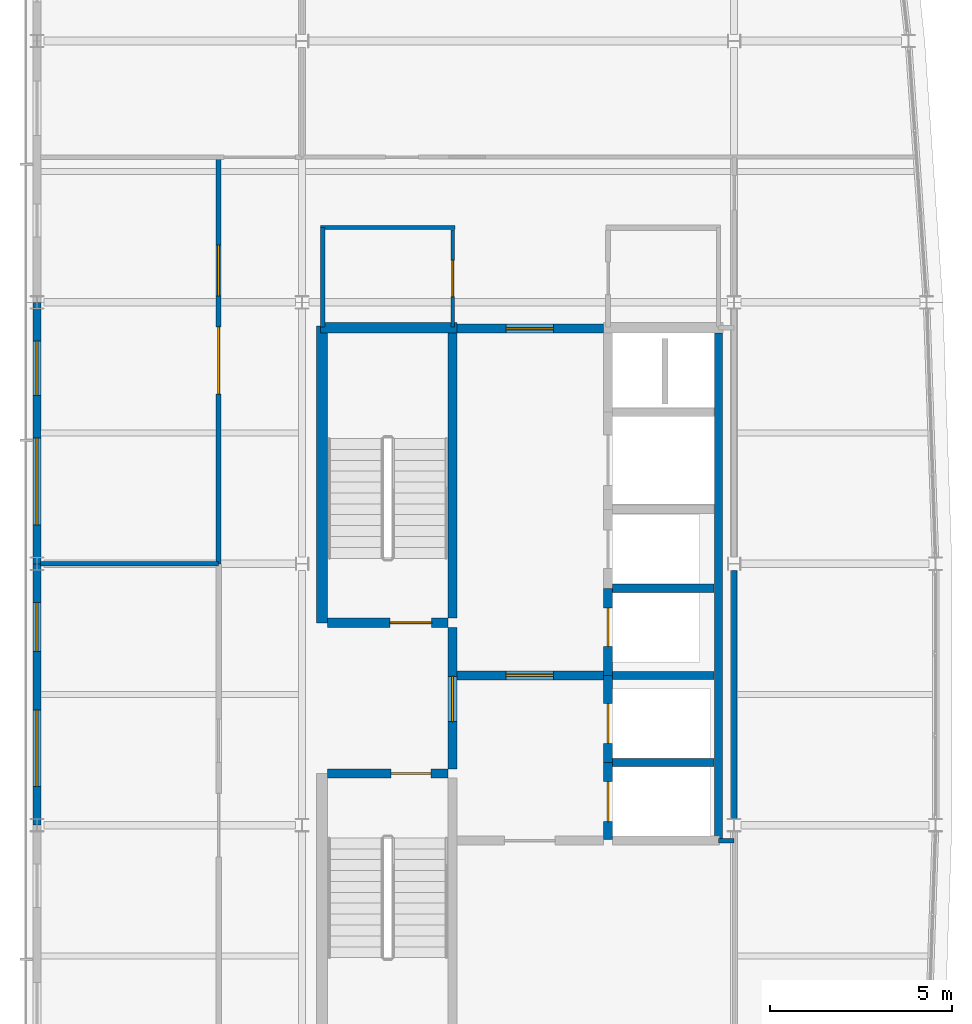
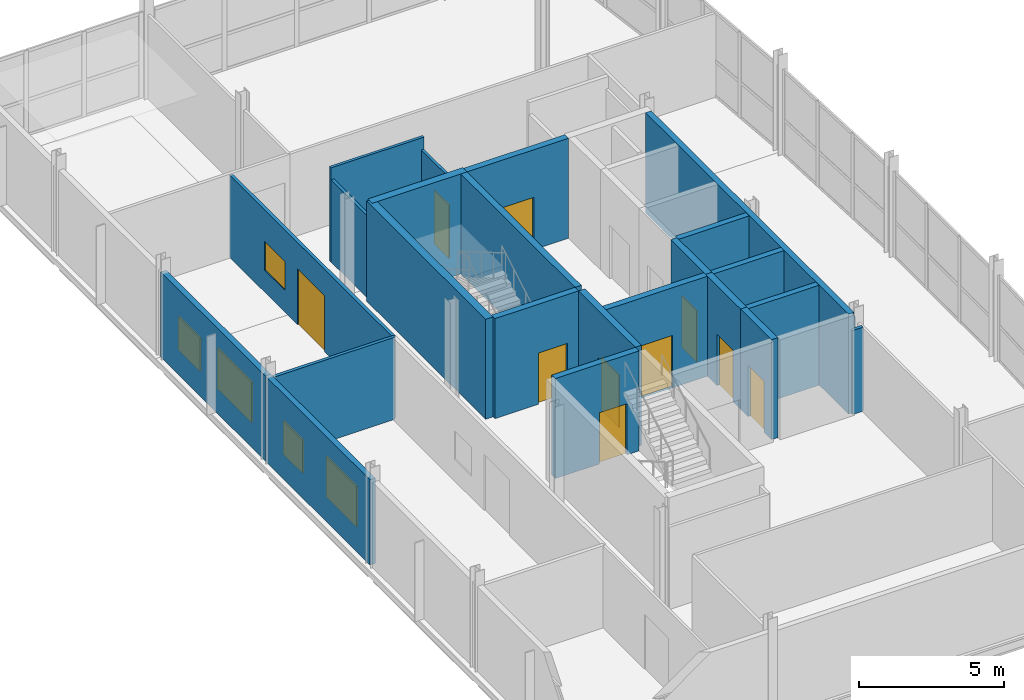
# One storey, part 12 of 17: 24 walls, 10 doors, 5 windows, 15 openings.
"""IFC4 building model written with IfcOpenShell, lengths in metres."""

from ifc_helpers import new_model, si_unit, direction, frame, frame_2d, origin, place, context, subcontext, project, spatial, rectangle, extrude, material, layer, layer_set, type_object, element, fill, save


model = new_model("IFC4")

# Units and contexts
model_context = context("Model", 3, precision=1e-05, world=origin(), true_north=direction((0.0, 1.0)))
body_context = subcontext(model_context, "Body", "Model", "MODEL_VIEW")
ifc_project = project(units=[si_unit("LENGTHUNIT", "METRE"), si_unit("AREAUNIT", "SQUARE_METRE"), si_unit("VOLUMEUNIT", "CUBIC_METRE"), si_unit("PLANEANGLEUNIT", "RADIAN"), si_unit("MASSUNIT", "GRAM", prefix="KILO")], contexts=[model_context])

# Site, building, storey
site_placement = place(None, origin())
site = spatial("IfcSite", under=ifc_project, at=site_placement, CompositionType="ELEMENT")
building_placement = place(site_placement, origin())
building = spatial("IfcBuilding", under=site, at=building_placement, Name="Quillay Park Conservatory", CompositionType="ELEMENT")
storey_placement = place(building_placement, frame((0.0, 0.0, 51.89990234375)))
storey = spatial("IfcBuildingStorey", under=building, at=storey_placement, Name="L12", CompositionType="ELEMENT", Elevation=51.89990234375)

# Wall, opening, door
ifc_material_1 = material(Name="Steel-Stud Acoustic Gypsum Board Partition", Category="steel")
ifc_layer_1 = layer(ifc_material_1, 0.10498046875)
ifc_layer_set_1 = layer_set([ifc_layer_1], Name="ACOUSTIC GYPSUM PARTITION 105 (Steel-Stud Acoustic Gypsum Board Partition)")
wall_type_1 = type_object("IfcWallType", Name="ACOUSTIC GYPSUM PARTITION 105", PredefinedType="PARTITIONING", material=ifc_layer_set_1)
wall_1_placement = place(storey_placement, frame((12.0, 101.60009765625, 0.0), z_axis=(0.0, 0.0, 1.0), x_axis=(0.0, -1.0, 0.0)))
wall_1 = element("IfcWall", 1, at=wall_1_placement, inside=storey, type_object=wall_type_1, Name="L12 Accessible WC Door Wall", PredefinedType="PARTITIONING", context=body_context, shape_type="SweptSolid", body=[
    extrude(rectangle(XDim=2.68017578125, YDim=0.10498046875, at=frame_2d((1.340087890625, 0.0))), origin(), (0.0, 0.0, 1.0), 3.451171875),
])
opening_1_placement = place(wall_1_placement, frame((0.840087890625, 0.0, 0.0)))
opening_1 = element("IfcOpeningElement", 2, at=opening_1_placement, cuts=wall_1, Name="Opening D-RM19", PredefinedType="OPENING", context=body_context, shape_type="SweptSolid", body=[
    extrude(rectangle(XDim=1.0, YDim=2.25, at=frame_2d((0.5, 1.125))), frame((0.0, 0.052490234375, 0.0), z_axis=(0.0, -1.0, 0.0), x_axis=(1.0, 0.0, 0.0)), (0.0, 0.0, 1.0), 0.10498046875),
])
ifc_material_2 = material(Name="Thermally Broken Anodised Aluminium 6063-T6", Category="aluminium")
door_type_1 = type_object("IfcDoorType", Name="SINGLE SWING DOOR 1000 X2250", OperationType="NOTDEFINED", PredefinedType="DOOR", material=ifc_material_2)
door_1_placement = place(opening_1_placement, origin())
door_1 = element("IfcDoor", 3, at=door_1_placement, inside=storey, type_object=door_type_1, Name="L12 Door to L12 Accessible WC", OperationType="SINGLE_SWING_LEFT", OverallHeight=2.25, OverallWidth=1.0, PredefinedType="DOOR", context=body_context, shape_type="SweptSolid", body=[
    extrude(rectangle(XDim=1.0, YDim=2.25, at=frame_2d((0.5, 1.125))), frame((0.0, 0.02490234375, 0.0), z_axis=(0.0, -1.0, 0.0), x_axis=(1.0, 0.0, 0.0)), (0.0, 0.0, 1.0), 0.050048828125),
])
fill(opening_1, door_1)

# Walls
ifc_material_3 = material(Name="Steel-Stud Acoustic Gypsum Board Partition", Category="steel")
ifc_layer_2 = layer(ifc_material_3, 0.110107421875)
ifc_layer_set_2 = layer_set([ifc_layer_2], Name="ACOUSTIC GYPSUM PARTITION 110 (Steel-Stud Acoustic Gypsum Board Partition)")
wall_type_2 = type_object("IfcWallType", Name="ACOUSTIC GYPSUM PARTITION 110", PredefinedType="PARTITIONING", material=ifc_layer_set_2)
wall_2_placement = place(storey_placement, frame((8.360107421875, 101.659912109375, 0.0), z_axis=(0.0, 0.0, 1.0), x_axis=(1.0, 0.0, 0.0)))
element("IfcWall", 4, at=wall_2_placement, inside=storey, type_object=wall_type_2, Name="L12 Accessible WC North Wall", PredefinedType="PARTITIONING", context=body_context, shape_type="SweptSolid", body=[
    extrude(rectangle(XDim=3.699951171875, YDim=0.110107421875, at=frame_2d((1.85009765625, 0.0))), origin(), (0.0, 0.0, 1.0), 3.9501953125),
])
ifc_material_4 = material(Name="Steel-Stud Acoustic Gypsum Board Partition", Category="steel")
ifc_layer_3 = layer(ifc_material_4, 0.114990234375)
ifc_layer_set_3 = layer_set([ifc_layer_3], Name="ACOUSTIC GYPSUM PARTITION 115 (Steel-Stud Acoustic Gypsum Board Partition)")
wall_type_3 = type_object("IfcWallType", Name="ACOUSTIC GYPSUM PARTITION 115", PredefinedType="PARTITIONING", material=ifc_layer_set_3)
wall_3_placement = place(storey_placement, frame((8.419921875, 98.919921875, 0.0), z_axis=(0.0, 0.0, 1.0), x_axis=(0.0, 1.0, 0.0)))
element("IfcWall", 5, at=wall_3_placement, inside=storey, type_object=wall_type_3, Name="L12 Accessible WC West Wall", PredefinedType="PARTITIONING", context=body_context, shape_type="SweptSolid", body=[
    extrude(rectangle(XDim=2.739990234375, YDim=0.114990234375, at=frame_2d((1.3701171875, 0.0))), origin(), (0.0, 0.0, 1.0), 3.451171875),
])
ifc_material_5 = material(Name="Steel-Stud Acoustic Gypsum Board Partition", Category="steel")
ifc_layer_4 = layer(ifc_material_5, 0.125)
ifc_layer_set_4 = layer_set([ifc_layer_4], Name="ACOUSTIC GYPSUM PARTITION 125 (Steel-Stud Acoustic Gypsum Board Partition)")
wall_type_4 = type_object("IfcWallType", Name="ACOUSTIC GYPSUM PARTITION 125", PredefinedType="PARTITIONING", material=ifc_layer_set_4)
wall_4_placement = place(storey_placement, frame((19.320068359375, 84.77490234375, 0.0), z_axis=(0.0, 0.0, 1.0), x_axis=(1.0, 0.0, 0.0)))
element("IfcWall", 6, at=wall_4_placement, inside=storey, type_object=wall_type_4, Name="L12 Core South-East Closure", PredefinedType="PARTITIONING", context=body_context, shape_type="SweptSolid", body=[
    extrude(rectangle(XDim=0.429931640625, YDim=0.125, at=frame_2d((0.21484375, 0.0))), origin(), (0.0, 0.0, 1.0), 3.527099609375),
])
wall_5_placement = place(storey_placement, frame((0.64990234375, 92.39990234375, 0.0), z_axis=(0.0, 0.0, 1.0), x_axis=(1.0, 0.0, 0.0)))
element("IfcWall", 7, at=wall_5_placement, inside=storey, type_object=wall_type_4, Name="L12 West Divider 92", PredefinedType="PARTITIONING", context=body_context, shape_type="SweptSolid", body=[
    extrude(rectangle(XDim=4.900146484375, YDim=0.125, at=frame_2d((2.4501953125, 0.0))), origin(), (0.0, 0.0, 1.0), 3.451171875),
])

# Wall, openings, window, door
ifc_material_6 = material(Name="Steel-Stud Acoustic Gypsum Board Partition", Category="steel")
ifc_layer_5 = layer(ifc_material_6, 0.1298828125)
ifc_layer_set_5 = layer_set([ifc_layer_5], Name="ACOUSTIC GYPSUM PARTITION 130 (Steel-Stud Acoustic Gypsum Board Partition)")
wall_type_5 = type_object("IfcWallType", Name="ACOUSTIC GYPSUM PARTITION 130", PredefinedType="PARTITIONING", material=ifc_layer_set_5)
wall_6_placement = place(storey_placement, frame((5.550048828125, 92.39990234375, 0.0), z_axis=(0.0, 0.0, 1.0), x_axis=(0.0, 1.0, 0.0)))
wall_6 = element("IfcWall", 8, at=wall_6_placement, inside=storey, type_object=wall_type_5, Name="L12 L12 Endangered Flora Conservation Planning Lab Corridor Wall", PredefinedType="PARTITIONING", context=body_context, shape_type="SweptSolid", body=[
    extrude(rectangle(XDim=11.2001953125, YDim=0.1298828125, at=frame_2d((5.60009765625, 0.0))), origin(), (0.0, 0.0, 1.0), 3.451171875),
])
opening_2_placement = place(wall_6_placement, frame((4.675048828125, 0.0, 0.0)))
opening_2 = element("IfcOpeningElement", 9, at=opening_2_placement, cuts=wall_6, Name="Opening D-RM29", PredefinedType="OPENING", context=body_context, shape_type="SweptSolid", body=[
    extrude(rectangle(XDim=1.85009765625, YDim=2.35009765625, at=frame_2d((0.925048828125, 1.175048828125))), frame((0.0, 0.06494140625, 0.0), z_axis=(0.0, -1.0, 0.0), x_axis=(1.0, 0.0, 0.0)), (0.0, 0.0, 1.0), 0.1298828125),
])
opening_3_placement = place(wall_6_placement, frame((7.375, 0.0, 0.919921875)))
opening_3 = element("IfcOpeningElement", 10, at=opening_3_placement, cuts=wall_6, Name="Opening W-IN08", PredefinedType="OPENING", context=body_context, shape_type="SweptSolid", body=[
    extrude(rectangle(XDim=1.39990234375, YDim=1.199951171875, at=frame_2d((0.699951171875, 0.60009765625))), frame((0.0, 0.06494140625, 0.0), z_axis=(0.0, -1.0, 0.0), x_axis=(1.0, 0.0, 0.0)), (0.0, 0.0, 1.0), 0.1298828125),
])
ifc_material_7 = material(Name="Low-E Double Glazing (Laminated Tempered)", Category="glass")
window_type_1 = type_object("IfcWindowType", Name="OPERABLE VENT WINDOW 1400 X1200", PartitioningType="SINGLE_PANEL", PredefinedType="WINDOW", material=ifc_material_7)
window_1_placement = place(opening_3_placement, origin())
window_1 = element("IfcWindow", 11, at=window_1_placement, inside=storey, type_object=window_type_1, Name="L12 Laboratory Vision Panel 044", OverallHeight=1.199951171875, OverallWidth=1.39990234375, PartitioningType="SINGLE_PANEL", PredefinedType="WINDOW", context=body_context, shape_type="SweptSolid", body=[
    extrude(rectangle(XDim=1.39990234375, YDim=1.199951171875, at=frame_2d((0.699951171875, 0.60009765625))), frame((0.0, 0.030029296875, 0.0), z_axis=(0.0, -1.0, 0.0), x_axis=(1.0, 0.0, 0.0)), (0.0, 0.0, 1.0), 0.06005859375),
])
fill(opening_3, window_1)
ifc_material_8 = material(Name="Thermally Broken Anodised Aluminium 6063-T6", Category="aluminium")
door_type_2 = type_object("IfcDoorType", Name="SINGLE SWING DOOR 1850 X2350", OperationType="NOTDEFINED", PredefinedType="DOOR", material=ifc_material_8)
door_2_placement = place(opening_2_placement, origin())
door_2 = element("IfcDoor", 12, at=door_2_placement, inside=storey, type_object=door_type_2, Name="L12 Door to L12 Endangered Flora Conservation Planning Lab", OperationType="SINGLE_SWING_LEFT", OverallHeight=2.35009765625, OverallWidth=1.85009765625, PredefinedType="DOOR", context=body_context, shape_type="SweptSolid", body=[
    extrude(rectangle(XDim=1.85009765625, YDim=2.35009765625, at=frame_2d((0.925048828125, 1.175048828125))), frame((0.0, 0.02490234375, 0.0), z_axis=(0.0, -1.0, 0.0), x_axis=(1.0, 0.0, 0.0)), (0.0, 0.0, 1.0), 0.050048828125),
])
fill(opening_2, door_2)

# Walls
ifc_material_9 = material(Name="Steel-Stud Acoustic Gypsum Board Partition", Category="steel")
ifc_layer_6 = layer(ifc_material_9, 0.14990234375)
ifc_layer_set_6 = layer_set([ifc_layer_6], Name="ACOUSTIC GYPSUM PARTITION 150 (Steel-Stud Acoustic Gypsum Board Partition)")
wall_type_6 = type_object("IfcWallType", Name="ACOUSTIC GYPSUM PARTITION 150", PredefinedType="PARTITIONING", material=ifc_layer_set_6)
wall_7_placement = place(storey_placement, frame((19.75, 85.373046875, 0.0), z_axis=(0.0, 0.0, 1.0), x_axis=(0.0, 1.0, 0.0)))
element("IfcWall", 13, at=wall_7_placement, inside=storey, type_object=wall_type_6, Name="L12 L12 Remote Sensing Phenology Laboratory West Wall 2", PredefinedType="PARTITIONING", context=body_context, shape_type="SweptSolid", body=[
    extrude(rectangle(XDim=6.847412109375, YDim=0.14990234375, at=frame_2d((3.423828125, 0.0))), origin(), (0.0, 0.0, 1.0), 3.527099609375),
])
ifc_material_10 = material(Name="Concrete C35/45 (NCh170 Concrete C35/45)", Category="concrete")
ifc_layer_7 = layer(ifc_material_10, 0.22509765625)
ifc_layer_set_7 = layer_set([ifc_layer_7], Name="CORE SHEAR WALL 225 (Concrete C35/45 (NCh170 Concrete C35/45))")
wall_type_7 = type_object("IfcWallType", Name="CORE SHEAR WALL 225", PredefinedType="SHEAR", material=ifc_layer_set_7)
wall_8_placement = place(storey_placement, frame((19.320068359375, 84.800048828125, 0.0), z_axis=(0.0, 0.0, 1.0), x_axis=(0.0, 1.0, 0.0)))
element("IfcWall", 14, at=wall_8_placement, inside=storey, type_object=wall_type_7, Name="L12 Core Shear Wall WL-LFBACK-L12", PredefinedType="SHEAR", context=body_context, shape_type="SweptSolid", body=[
    extrude(rectangle(XDim=13.949951171875, YDim=0.22509765625, at=frame_2d((6.97509765625, 0.0))), origin(), (0.0, 0.0, 1.0), 4.2001953125),
])
for number, where, z_axis, x_axis, name in (
    (15, (16.39990234375, 86.925048828125, 0.0), (0.0, 0.0, 1.0), (1.0, 0.0, 0.0), "L12 Core Shear Wall WL-LFDIV-L12-869"),
    (16, (16.39990234375, 89.324951171875, 0.0), (0.0, 0.0, 1.0), (1.0, 0.0, 0.0), "L12 Core Shear Wall WL-LFDIV-L12-893"),
    (17, (16.39990234375, 91.72509765625, 0.0), (0.0, 0.0, 1.0), (1.0, 0.0, 0.0), "L12 Core Shear Wall WL-LFDIV-L12-917"),
):
    element("IfcWall", number, at=place(storey_placement, frame(where, z_axis=z_axis, x_axis=x_axis)), inside=storey, type_object=wall_type_7, Name=name, PredefinedType="SHEAR", context=body_context, shape_type="SweptSolid", body=[
        extrude(rectangle(XDim=2.800048828125, YDim=0.22509765625, at=frame_2d((1.39990234375, 0.0))), origin(), (0.0, 0.0, 1.0), 4.2001953125),
    ])
ifc_material_11 = material(Name="Concrete C40/50 (NCh170 Concrete C40/50)", Category="concrete")
ifc_layer_8 = layer(ifc_material_11, 0.25)
ifc_layer_set_8 = layer_set([ifc_layer_8], Name="CORE SHEAR WALL 250 (Concrete C40/50 (NCh170 Concrete C40/50))")
wall_type_8 = type_object("IfcWallType", Name="CORE SHEAR WALL 250", PredefinedType="SHEAR", material=ifc_layer_set_8)
wall_9_placement = place(storey_placement, frame((11.9951171875, 90.89990234375, 0.0), z_axis=(0.0, 0.0, 1.0), x_axis=(0.0, 1.0, 0.0)))
element("IfcWall", 18, at=wall_9_placement, inside=storey, type_object=wall_type_8, Name="L12 Core Shear Wall WL-T1E-L12", PredefinedType="SHEAR", context=body_context, shape_type="SweptSolid", body=[
    extrude(rectangle(XDim=7.85009765625, YDim=0.25, at=frame_2d((3.925048828125, 0.0))), origin(), (0.0, 0.0, 1.0), 4.2001953125),
])

# Wall, opening, door
wall_10_placement = place(storey_placement, frame((11.9951171875, 86.75, 0.0), z_axis=(0.0, 0.0, 1.0), x_axis=(0.0, 1.0, 0.0)))
wall_10 = element("IfcWall", 19, at=wall_10_placement, inside=storey, type_object=wall_type_8, Name="L12 Core Shear Wall WL-FFW-L12", PredefinedType="SHEAR", context=body_context, shape_type="SweptSolid", body=[
    extrude(rectangle(XDim=3.89990234375, YDim=0.25, at=frame_2d((1.949951171875, 0.0))), origin(), (0.0, 0.0, 1.0), 4.2001953125),
])
opening_4_placement = place(wall_10_placement, frame((1.300048828125, 0.0, 0.0)))
opening_4 = element("IfcOpeningElement", 20, at=opening_4_placement, cuts=wall_10, Name="Opening D-LB01", PredefinedType="OPENING", context=body_context, shape_type="SweptSolid", body=[
    extrude(rectangle(XDim=1.25, YDim=2.199951171875, at=frame_2d((0.625, 1.10009765625))), frame((0.0, 0.125, 0.0), z_axis=(0.0, -1.0, 0.0), x_axis=(1.0, 0.0, 0.0)), (0.0, 0.0, 1.0), 0.25),
])
ifc_material_12 = material(Name="Steel ASTM A572 Grade 50", Category="steel")
door_type_3 = type_object("IfcDoorType", Name="FIRE RATED LOBBY DOOR 1250 X2200", OperationType="NOTDEFINED", PredefinedType="DOOR", material=ifc_material_12)
door_3_placement = place(opening_4_placement, origin())
door_3 = element("IfcDoor", 21, at=door_3_placement, inside=storey, type_object=door_type_3, Name="L12 Firefighting Lobby Corridor Door", OperationType="SINGLE_SWING_LEFT", OverallHeight=2.199951171875, OverallWidth=1.25, PredefinedType="DOOR", context=body_context, shape_type="SweptSolid", body=[
    extrude(rectangle(XDim=1.25, YDim=2.199951171875, at=frame_2d((0.625, 1.10009765625))), frame((0.0, 0.02490234375, 0.0), z_axis=(0.0, -1.0, 0.0), x_axis=(1.0, 0.0, 0.0)), (0.0, 0.0, 1.0), 0.050048828125),
])
fill(opening_4, door_3)

wall_11_placement = place(storey_placement, frame((12.1201171875, 98.875, 0.0), z_axis=(0.0, 0.0, 1.0), x_axis=(1.0, 0.0, 0.0)))
wall_11 = element("IfcWall", 22, at=wall_11_placement, inside=storey, type_object=wall_type_8, Name="L12 Core Shear Wall WL-PAXN-L12", PredefinedType="SHEAR", context=body_context, shape_type="SweptSolid", body=[
    extrude(rectangle(XDim=4.02978515625, YDim=0.25, at=frame_2d((2.014892578125, 0.0))), origin(), (0.0, 0.0, 1.0), 4.2001953125),
])
opening_5_placement = place(wall_11_placement, frame((1.35009765625, 0.0, 0.0)))
opening_5 = element("IfcOpeningElement", 23, at=opening_5_placement, cuts=wall_11, Name="Opening D-LB02", PredefinedType="OPENING", context=body_context, shape_type="SweptSolid", body=[
    extrude(rectangle(XDim=1.300048828125, YDim=2.199951171875, at=frame_2d((0.64990234375, 1.10009765625))), frame((0.0, 0.125, 0.0), z_axis=(0.0, -1.0, 0.0), x_axis=(1.0, 0.0, 0.0)), (0.0, 0.0, 1.0), 0.25),
])
ifc_material_13 = material(Name="Steel ASTM A572 Grade 50", Category="steel")
door_type_4 = type_object("IfcDoorType", Name="FIRE RATED LOBBY DOOR 1300 X2200", OperationType="NOTDEFINED", PredefinedType="DOOR", material=ifc_material_13)
door_4_placement = place(opening_5_placement, origin())
door_4 = element("IfcDoor", 24, at=door_4_placement, inside=storey, type_object=door_type_4, Name="L12 North Lift Lobby Door", OperationType="SINGLE_SWING_RIGHT", OverallHeight=2.199951171875, OverallWidth=1.300048828125, PredefinedType="DOOR", context=body_context, shape_type="SweptSolid", body=[
    extrude(rectangle(XDim=1.300048828125, YDim=2.199951171875, at=frame_2d((0.64990234375, 1.10009765625))), frame((0.0, 0.02490234375, 0.0), z_axis=(0.0, -1.0, 0.0), x_axis=(1.0, 0.0, 0.0)), (0.0, 0.0, 1.0), 0.050048828125),
])
fill(opening_5, door_4)

wall_12_placement = place(storey_placement, frame((8.550048828125, 86.625, 0.0), z_axis=(0.0, 0.0, 1.0), x_axis=(1.0, 0.0, 0.0)))
wall_12 = element("IfcWall", 25, at=wall_12_placement, inside=storey, type_object=wall_type_8, Name="L12 Core Shear Wall WL-ST2D-L12", PredefinedType="SHEAR", context=body_context, shape_type="SweptSolid", body=[
    extrude(rectangle(XDim=3.320068359375, YDim=0.25, at=frame_2d((1.66015625, 0.0))), origin(), (0.0, 0.0, 1.0), 4.2001953125),
])
opening_6_placement = place(wall_12_placement, frame((1.75, 0.0, 0.0)))
opening_6 = element("IfcOpeningElement", 26, at=opening_6_placement, cuts=wall_12, Name="Opening D-ST01", PredefinedType="OPENING", context=body_context, shape_type="SweptSolid", body=[
    extrude(rectangle(XDim=1.10009765625, YDim=2.14990234375, at=frame_2d((0.550048828125, 1.074951171875))), frame((0.0, 0.125, 0.0), z_axis=(0.0, -1.0, 0.0), x_axis=(1.0, 0.0, 0.0)), (0.0, 0.0, 1.0), 0.25),
])
ifc_material_14 = material(Name="Steel ASTM A572 Grade 50", Category="steel")
door_type_5 = type_object("IfcDoorType", Name="FIRE RATED STAIR DOOR 1100 X2150", OperationType="NOTDEFINED", PredefinedType="DOOR", material=ifc_material_14)
door_5_placement = place(opening_6_placement, origin())
door_5 = element("IfcDoor", 27, at=door_5_placement, inside=storey, type_object=door_type_5, Name="L12 Protected Stair ST-T2 Door", OperationType="SINGLE_SWING_LEFT", OverallHeight=2.14990234375, OverallWidth=1.10009765625, PredefinedType="DOOR", context=body_context, shape_type="SweptSolid", body=[
    extrude(rectangle(XDim=1.10009765625, YDim=2.14990234375, at=frame_2d((0.550048828125, 1.074951171875))), frame((0.0, 0.02490234375, 0.0), z_axis=(0.0, -1.0, 0.0), x_axis=(1.0, 0.0, 0.0)), (0.0, 0.0, 1.0), 0.050048828125),
])
fill(opening_6, door_5)

wall_13_placement = place(storey_placement, frame((11.8701171875, 90.77490234375, 0.0), z_axis=(0.0, 0.0, 1.0), x_axis=(-1.0, 0.0, 0.0)))
wall_13 = element("IfcWall", 28, at=wall_13_placement, inside=storey, type_object=wall_type_8, Name="L12 Core Shear Wall WL-ST1D-L12", PredefinedType="SHEAR", context=body_context, shape_type="SweptSolid", body=[
    extrude(rectangle(XDim=3.320068359375, YDim=0.25, at=frame_2d((1.66015625, 0.0))), origin(), (0.0, 0.0, 1.0), 4.2001953125),
])
opening_7_placement = place(wall_13_placement, frame((0.449951171875, 0.0, 0.0)))
opening_7 = element("IfcOpeningElement", 29, at=opening_7_placement, cuts=wall_13, Name="Opening D-ST02", PredefinedType="OPENING", context=body_context, shape_type="SweptSolid", body=[
    extrude(rectangle(XDim=1.14990234375, YDim=2.14990234375, at=frame_2d((0.574951171875, 1.074951171875))), frame((0.0, 0.125, 0.0), z_axis=(0.0, -1.0, 0.0), x_axis=(1.0, 0.0, 0.0)), (0.0, 0.0, 1.0), 0.25),
])
ifc_material_15 = material(Name="Steel ASTM A572 Grade 50", Category="steel")
door_type_6 = type_object("IfcDoorType", Name="FIRE RATED STAIR DOOR 1150 X2150", OperationType="NOTDEFINED", PredefinedType="DOOR", material=ifc_material_15)
door_6_placement = place(opening_7_placement, origin())
door_6 = element("IfcDoor", 30, at=door_6_placement, inside=storey, type_object=door_type_6, Name="L12 Protected Stair ST-T1 Door", OperationType="SINGLE_SWING_RIGHT", OverallHeight=2.14990234375, OverallWidth=1.14990234375, PredefinedType="DOOR", context=body_context, shape_type="SweptSolid", body=[
    extrude(rectangle(XDim=1.14990234375, YDim=2.14990234375, at=frame_2d((0.574951171875, 1.074951171875))), frame((0.0, 0.02490234375, 0.0), z_axis=(0.0, -1.0, 0.0), x_axis=(1.0, 0.0, 0.0)), (0.0, 0.0, 1.0), 0.050048828125),
])
fill(opening_7, door_6)

wall_14_placement = place(storey_placement, frame((12.1201171875, 89.324951171875, 0.0), z_axis=(0.0, 0.0, 1.0), x_axis=(1.0, 0.0, 0.0)))
wall_14 = element("IfcWall", 31, at=wall_14_placement, inside=storey, type_object=wall_type_8, Name="L12 Core Shear Wall WL-FFDIV-L12", PredefinedType="SHEAR", context=body_context, shape_type="SweptSolid", body=[
    extrude(rectangle(XDim=4.02978515625, YDim=0.25, at=frame_2d((2.014892578125, 0.0))), origin(), (0.0, 0.0, 1.0), 4.2001953125),
])
opening_8_placement = place(wall_14_placement, frame((1.35009765625, 0.0, 0.0)))
opening_8 = element("IfcOpeningElement", 32, at=opening_8_placement, cuts=wall_14, Name="Opening D-LB02", PredefinedType="OPENING", context=body_context, shape_type="SweptSolid", body=[
    extrude(rectangle(XDim=1.300048828125, YDim=2.199951171875, at=frame_2d((0.64990234375, 1.10009765625))), frame((0.0, 0.125, 0.0), z_axis=(0.0, -1.0, 0.0), x_axis=(1.0, 0.0, 0.0)), (0.0, 0.0, 1.0), 0.25),
])
door_7_placement = place(opening_8_placement, origin())
door_7 = element("IfcDoor", 33, at=door_7_placement, inside=storey, type_object=door_type_4, Name="L12 Firefighting to Passenger Lobby Door", OperationType="SINGLE_SWING_LEFT", OverallHeight=2.199951171875, OverallWidth=1.300048828125, PredefinedType="DOOR", context=body_context, shape_type="SweptSolid", body=[
    extrude(rectangle(XDim=1.300048828125, YDim=2.199951171875, at=frame_2d((0.64990234375, 1.10009765625))), frame((0.0, 0.02490234375, 0.0), z_axis=(0.0, -1.0, 0.0), x_axis=(1.0, 0.0, 0.0)), (0.0, 0.0, 1.0), 0.050048828125),
])
fill(opening_8, door_7)

wall_15_placement = place(storey_placement, frame((16.27490234375, 84.800048828125, 0.0), z_axis=(0.0, 0.0, 1.0), x_axis=(0.0, 1.0, 0.0)))
wall_15 = element("IfcWall", 34, at=wall_15_placement, inside=storey, type_object=wall_type_8, Name="L12 Core Shear Wall WL-LFFR-L12-LF-FF1", PredefinedType="SHEAR", context=body_context, shape_type="SweptSolid", body=[
    extrude(rectangle(XDim=2.125, YDim=0.25, at=frame_2d((1.0625, 0.0))), origin(), (0.0, 0.0, 1.0), 4.2001953125),
])
opening_9_placement = place(wall_15_placement, frame((0.5, 0.0, 0.0)))
opening_9 = element("IfcOpeningElement", 35, at=opening_9_placement, cuts=wall_15, Name="Opening LD01", PredefinedType="OPENING", context=body_context, shape_type="SweptSolid", body=[
    extrude(rectangle(XDim=1.10009765625, YDim=2.14990234375, at=frame_2d((0.550048828125, 1.074951171875))), frame((0.0, 0.125, 0.0), z_axis=(0.0, -1.0, 0.0), x_axis=(1.0, 0.0, 0.0)), (0.0, 0.0, 1.0), 0.25),
])
ifc_material_16 = material(Name="Steel ASTM A572 Grade 50", Category="steel")
door_type_7 = type_object("IfcDoorType", Name="LIFT LANDING SLIDING DOOR 1100 X2150", OperationType="NOTDEFINED", PredefinedType="DOOR", material=ifc_material_16)
door_8_placement = place(opening_9_placement, origin())
door_8 = element("IfcDoor", 36, at=door_8_placement, inside=storey, type_object=door_type_7, Name="L12 LF-FF1 Lift Landing Door LD01", OperationType="SLIDING_TO_LEFT", OverallHeight=2.14990234375, OverallWidth=1.10009765625, PredefinedType="DOOR", context=body_context, shape_type="SweptSolid", body=[
    extrude(rectangle(XDim=1.10009765625, YDim=2.14990234375, at=frame_2d((0.550048828125, 1.074951171875))), frame((0.0, 0.02490234375, 0.0), z_axis=(0.0, -1.0, 0.0), x_axis=(1.0, 0.0, 0.0)), (0.0, 0.0, 1.0), 0.050048828125),
])
fill(opening_9, door_8)

wall_16_placement = place(storey_placement, frame((16.27490234375, 86.925048828125, 0.0), z_axis=(0.0, 0.0, 1.0), x_axis=(0.0, 1.0, 0.0)))
wall_16 = element("IfcWall", 37, at=wall_16_placement, inside=storey, type_object=wall_type_8, Name="L12 Core Shear Wall WL-LFFR-L12-LF-FF2", PredefinedType="SHEAR", context=body_context, shape_type="SweptSolid", body=[
    extrude(rectangle(XDim=2.39990234375, YDim=0.25, at=frame_2d((1.199951171875, 0.0))), origin(), (0.0, 0.0, 1.0), 4.2001953125),
])
opening_10_placement = place(wall_16_placement, frame((0.52490234375, 0.0, 0.0)))
opening_10 = element("IfcOpeningElement", 38, at=opening_10_placement, cuts=wall_16, Name="Opening LD01", PredefinedType="OPENING", context=body_context, shape_type="SweptSolid", body=[
    extrude(rectangle(XDim=1.10009765625, YDim=2.14990234375, at=frame_2d((0.550048828125, 1.074951171875))), frame((0.0, 0.125, 0.0), z_axis=(0.0, -1.0, 0.0), x_axis=(1.0, 0.0, 0.0)), (0.0, 0.0, 1.0), 0.25),
])
door_9_placement = place(opening_10_placement, origin())
door_9 = element("IfcDoor", 39, at=door_9_placement, inside=storey, type_object=door_type_7, Name="L12 LF-FF2 Lift Landing Door LD01", OperationType="SLIDING_TO_LEFT", OverallHeight=2.14990234375, OverallWidth=1.10009765625, PredefinedType="DOOR", context=body_context, shape_type="SweptSolid", body=[
    extrude(rectangle(XDim=1.10009765625, YDim=2.14990234375, at=frame_2d((0.550048828125, 1.074951171875))), frame((0.0, 0.02490234375, 0.0), z_axis=(0.0, -1.0, 0.0), x_axis=(1.0, 0.0, 0.0)), (0.0, 0.0, 1.0), 0.050048828125),
])
fill(opening_10, door_9)

wall_17_placement = place(storey_placement, frame((16.27490234375, 89.324951171875, 0.0), z_axis=(0.0, 0.0, 1.0), x_axis=(0.0, 1.0, 0.0)))
wall_17 = element("IfcWall", 40, at=wall_17_placement, inside=storey, type_object=wall_type_8, Name="L12 Core Shear Wall WL-LFFR-L12-LF-P1", PredefinedType="SHEAR", context=body_context, shape_type="SweptSolid", body=[
    extrude(rectangle(XDim=2.400146484375, YDim=0.25, at=frame_2d((1.2001953125, 0.0))), origin(), (0.0, 0.0, 1.0), 4.2001953125),
])
opening_11_placement = place(wall_17_placement, frame((0.800048828125, 0.0, 0.0)))
opening_11 = element("IfcOpeningElement", 41, at=opening_11_placement, cuts=wall_17, Name="Opening LD02", PredefinedType="OPENING", context=body_context, shape_type="SweptSolid", body=[
    extrude(rectangle(XDim=1.050048828125, YDim=2.14990234375, at=frame_2d((0.52490234375, 1.074951171875))), frame((0.0, 0.125, 0.0), z_axis=(0.0, -1.0, 0.0), x_axis=(1.0, 0.0, 0.0)), (0.0, 0.0, 1.0), 0.25),
])
ifc_material_17 = material(Name="Steel ASTM A572 Grade 50", Category="steel")
door_type_8 = type_object("IfcDoorType", Name="LIFT LANDING SLIDING DOOR 1050 X2150", OperationType="NOTDEFINED", PredefinedType="DOOR", material=ifc_material_17)
door_10_placement = place(opening_11_placement, origin())
door_10 = element("IfcDoor", 42, at=door_10_placement, inside=storey, type_object=door_type_8, Name="L12 LF-P1 Lift Landing Door LD02", OperationType="SLIDING_TO_LEFT", OverallHeight=2.14990234375, OverallWidth=1.050048828125, PredefinedType="DOOR", context=body_context, shape_type="SweptSolid", body=[
    extrude(rectangle(XDim=1.050048828125, YDim=2.14990234375, at=frame_2d((0.52490234375, 1.074951171875))), frame((0.0, 0.02490234375, 0.0), z_axis=(0.0, -1.0, 0.0), x_axis=(1.0, 0.0, 0.0)), (0.0, 0.0, 1.0), 0.050048828125),
])
fill(opening_11, door_10)

# Walls
ifc_material_18 = material(Name="Concrete C40/50 (NCh170 Concrete C40/50)", Category="concrete")
ifc_layer_9 = layer(ifc_material_18, 0.300048828125)
ifc_layer_set_9 = layer_set([ifc_layer_9], Name="CORE SHEAR WALL 300 (Concrete C40/50 (NCh170 Concrete C40/50))")
wall_type_9 = type_object("IfcWallType", Name="CORE SHEAR WALL 300", PredefinedType="SHEAR", material=ifc_layer_set_9)
wall_18_placement = place(storey_placement, frame((8.39990234375, 90.77490234375, 0.0), z_axis=(0.0, 0.0, 1.0), x_axis=(0.0, 1.0, 0.0)))
element("IfcWall", 43, at=wall_18_placement, inside=storey, type_object=wall_type_9, Name="L12 Core Shear Wall WL-TCW-N-L12", PredefinedType="SHEAR", context=body_context, shape_type="SweptSolid", body=[
    extrude(rectangle(XDim=8.175048828125, YDim=0.300048828125, at=frame_2d((4.08740234375, 0.0))), origin(), (0.0, 0.0, 1.0), 4.2001953125),
])
wall_19_placement = place(storey_placement, frame((8.35009765625, 98.89990234375, 0.0), z_axis=(0.0, 0.0, 1.0), x_axis=(1.0, 0.0, 0.0)))
element("IfcWall", 44, at=wall_19_placement, inside=storey, type_object=wall_type_9, Name="L12 Core Shear Wall WL-TCN-W-L12", PredefinedType="SHEAR", context=body_context, shape_type="SweptSolid", body=[
    extrude(rectangle(XDim=3.77001953125, YDim=0.300048828125, at=frame_2d((1.885009765625, 0.0))), origin(), (0.0, 0.0, 1.0), 4.2001953125),
])

# Wall, openings, windows
ifc_material_19 = material(Name="Glass-Fibre Reinforced Concrete (GRC) Cladding", Category="concrete")
ifc_layer_10 = layer(ifc_material_19, 0.219970703125)
ifc_layer_set_10 = layer_set([ifc_layer_10], Name="EXTERIOR SOLID WALL 220 (Glass-Fibre Reinforced Concrete (GRC) Cladding)")
wall_type_10 = type_object("IfcWallType", Name="EXTERIOR SOLID WALL 220", PredefinedType="SOLIDWALL", material=ifc_layer_set_10)
wall_20_placement = place(storey_placement, frame((0.550048828125, 85.199951171875, 0.0), z_axis=(0.0, 0.0, 1.0), x_axis=(0.0, 1.0, 0.0)))
wall_20 = element("IfcWall", 45, at=wall_20_placement, inside=storey, type_object=wall_type_10, Name="L12 External Wall WL-EXT-V4W-L12-2", PredefinedType="SOLIDWALL", context=body_context, shape_type="SweptSolid", body=[
    extrude(rectangle(XDim=7.199951171875, YDim=0.219970703125, at=frame_2d((3.60009765625, 0.0))), origin(), (0.0, 0.0, 1.0), 3.5771484375),
])
opening_12_placement = place(wall_20_placement, frame((1.070068359375, 0.0, 0.919921875)))
opening_12 = element("IfcOpeningElement", 46, at=opening_12_placement, cuts=wall_20, Name="Opening W-15", PredefinedType="OPENING", context=body_context, shape_type="SweptSolid", body=[
    extrude(rectangle(XDim=2.10009765625, YDim=1.699951171875, at=frame_2d((1.050048828125, 0.85009765625))), frame((0.0, 0.10986328125, 0.0), z_axis=(0.0, -1.0, 0.0), x_axis=(1.0, 0.0, 0.0)), (0.0, 0.0, 1.0), 0.219970703125),
])
opening_13_placement = place(wall_20_placement, frame((4.780029296875, 0.0, 0.919921875)))
opening_13 = element("IfcOpeningElement", 47, at=opening_13_placement, cuts=wall_20, Name="Opening W-02", PredefinedType="OPENING", context=body_context, shape_type="SweptSolid", body=[
    extrude(rectangle(XDim=1.35009765625, YDim=1.39990234375, at=frame_2d((0.675048828125, 0.699951171875))), frame((0.0, 0.10986328125, 0.0), z_axis=(0.0, -1.0, 0.0), x_axis=(1.0, 0.0, 0.0)), (0.0, 0.0, 1.0), 0.219970703125),
])
ifc_material_20 = material(Name="Low-E Double Glazing (Laminated Tempered)", Category="glass")
window_type_2 = type_object("IfcWindowType", Name="FIXED CASEMENT WINDOW 1350 X1400", PartitioningType="SINGLE_PANEL", PredefinedType="WINDOW", material=ifc_material_20)
window_2_placement = place(opening_13_placement, origin())
window_2 = element("IfcWindow", 48, at=window_2_placement, inside=storey, type_object=window_type_2, Name="L12 Exterior Window 0275", OverallHeight=1.39990234375, OverallWidth=1.35009765625, PartitioningType="SINGLE_PANEL", PredefinedType="WINDOW", context=body_context, shape_type="SweptSolid", body=[
    extrude(rectangle(XDim=1.35009765625, YDim=1.39990234375, at=frame_2d((0.675048828125, 0.699951171875))), frame((0.0, 0.030029296875, 0.0), z_axis=(0.0, -1.0, 0.0), x_axis=(1.0, 0.0, 0.0)), (0.0, 0.0, 1.0), 0.06005859375),
])
fill(opening_13, window_2)
ifc_material_21 = material(Name="Low-E Double Glazing (Laminated Tempered)", Category="glass")
window_type_3 = type_object("IfcWindowType", Name="FIXED CASEMENT WINDOW 2100 X1700", PartitioningType="DOUBLE_PANEL_VERTICAL", PredefinedType="WINDOW", material=ifc_material_21)
window_3_placement = place(opening_12_placement, origin())
window_3 = element("IfcWindow", 49, at=window_3_placement, inside=storey, type_object=window_type_3, Name="L12 Exterior Window 0274", OverallHeight=1.699951171875, OverallWidth=2.10009765625, PartitioningType="DOUBLE_PANEL_VERTICAL", PredefinedType="WINDOW", context=body_context, shape_type="SweptSolid", body=[
    extrude(rectangle(XDim=2.10009765625, YDim=1.699951171875, at=frame_2d((1.050048828125, 0.85009765625))), frame((0.0, 0.030029296875, 0.0), z_axis=(0.0, -1.0, 0.0), x_axis=(1.0, 0.0, 0.0)), (0.0, 0.0, 1.0), 0.06005859375),
])
fill(opening_12, window_3)

wall_21_placement = place(storey_placement, frame((0.550048828125, 92.39990234375, 0.0), z_axis=(0.0, 0.0, 1.0), x_axis=(0.0, 1.0, 0.0)))
wall_21 = element("IfcWall", 50, at=wall_21_placement, inside=storey, type_object=wall_type_10, Name="L12 External Wall WL-EXT-V4W-L12-3", PredefinedType="SOLIDWALL", context=body_context, shape_type="SweptSolid", body=[
    extrude(rectangle(XDim=7.2001953125, YDim=0.219970703125, at=frame_2d((3.60009765625, 0.0))), origin(), (0.0, 0.0, 1.0), 3.5771484375),
])
opening_14_placement = place(wall_21_placement, frame((1.070068359375, 0.0, 0.919921875)))
opening_14 = element("IfcOpeningElement", 51, at=opening_14_placement, cuts=wall_21, Name="Opening W-16", PredefinedType="OPENING", context=body_context, shape_type="SweptSolid", body=[
    extrude(rectangle(XDim=2.39990234375, YDim=1.699951171875, at=frame_2d((1.199951171875, 0.85009765625))), frame((0.0, 0.10986328125, 0.0), z_axis=(0.0, -1.0, 0.0), x_axis=(1.0, 0.0, 0.0)), (0.0, 0.0, 1.0), 0.219970703125),
])
opening_15_placement = place(wall_21_placement, frame((4.6298828125, 0.0, 0.919921875)))
opening_15 = element("IfcOpeningElement", 52, at=opening_15_placement, cuts=wall_21, Name="Opening W-03", PredefinedType="OPENING", context=body_context, shape_type="SweptSolid", body=[
    extrude(rectangle(XDim=1.5, YDim=1.39990234375, at=frame_2d((0.75, 0.699951171875))), frame((0.0, 0.10986328125, 0.0), z_axis=(0.0, -1.0, 0.0), x_axis=(1.0, 0.0, 0.0)), (0.0, 0.0, 1.0), 0.219970703125),
])
ifc_material_22 = material(Name="Low-E Double Glazing (Laminated Tempered)", Category="glass")
window_type_4 = type_object("IfcWindowType", Name="FIXED CASEMENT WINDOW 1500 X1400", PartitioningType="SINGLE_PANEL", PredefinedType="WINDOW", material=ifc_material_22)
window_4_placement = place(opening_15_placement, origin())
window_4 = element("IfcWindow", 53, at=window_4_placement, inside=storey, type_object=window_type_4, Name="L12 Exterior Window 0277", OverallHeight=1.39990234375, OverallWidth=1.5, PartitioningType="SINGLE_PANEL", PredefinedType="WINDOW", context=body_context, shape_type="SweptSolid", body=[
    extrude(rectangle(XDim=1.5, YDim=1.39990234375, at=frame_2d((0.75, 0.699951171875))), frame((0.0, 0.030029296875, 0.0), z_axis=(0.0, -1.0, 0.0), x_axis=(1.0, 0.0, 0.0)), (0.0, 0.0, 1.0), 0.06005859375),
])
fill(opening_15, window_4)
ifc_material_23 = material(Name="Low-E Double Glazing (Laminated Tempered)", Category="glass")
window_type_5 = type_object("IfcWindowType", Name="FIXED CASEMENT WINDOW 2400 X1700", PartitioningType="DOUBLE_PANEL_VERTICAL", PredefinedType="WINDOW", material=ifc_material_23)
window_5_placement = place(opening_14_placement, origin())
window_5 = element("IfcWindow", 54, at=window_5_placement, inside=storey, type_object=window_type_5, Name="L12 Exterior Window 0276", OverallHeight=1.699951171875, OverallWidth=2.39990234375, PartitioningType="DOUBLE_PANEL_VERTICAL", PredefinedType="WINDOW", context=body_context, shape_type="SweptSolid", body=[
    extrude(rectangle(XDim=2.39990234375, YDim=1.699951171875, at=frame_2d((1.199951171875, 0.85009765625))), frame((0.0, 0.030029296875, 0.0), z_axis=(0.0, -1.0, 0.0), x_axis=(1.0, 0.0, 0.0)), (0.0, 0.0, 1.0), 0.06005859375),
])
fill(opening_14, window_5)

save(model, "model.ifc")
